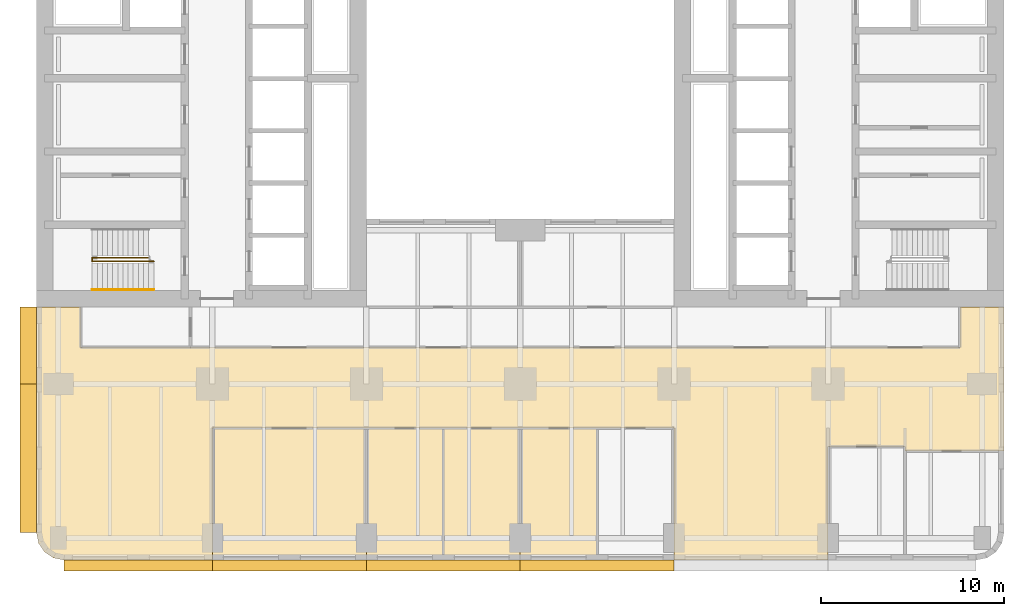
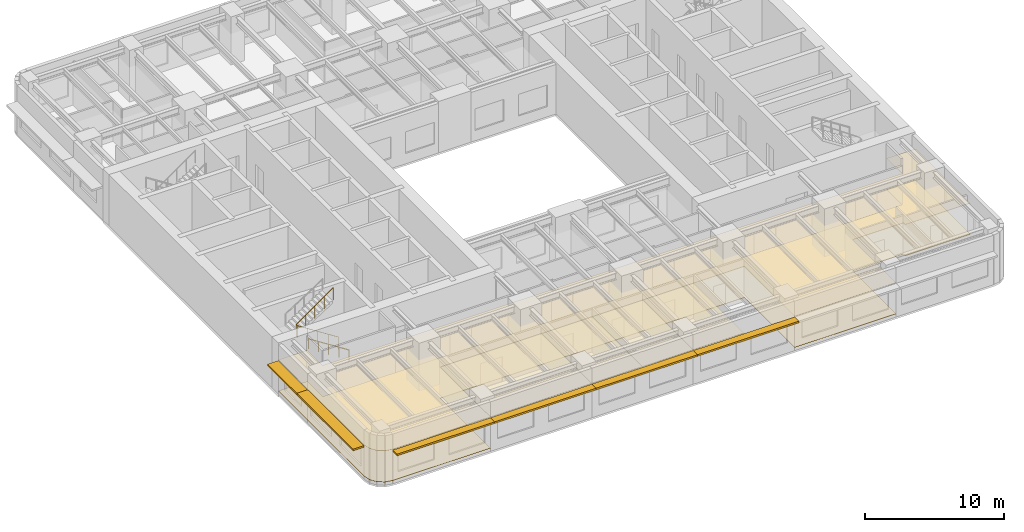
# One storey, part 9 of 14: 6 coverings, 6 shading devices, 2 railings.
"""IFC4 building model written with IfcOpenShell, lengths in metres."""

from ifc_helpers import new_model, si_unit, direction, frame, origin, origin_2d, place, context, subcontext, project, spatial, polyline, rectangle, circle, outline, extrude, material, layer, layer_set, type_object, element, save


model = new_model("IFC4")

# Units and contexts
model_context = context("Model", 3, precision=1e-05, world=origin(), true_north=direction((0.0, 1.0)))
body_context = subcontext(model_context, "Body", "Model", "MODEL_VIEW")
ifc_project = project(units=[si_unit("LENGTHUNIT", "METRE"), si_unit("AREAUNIT", "SQUARE_METRE"), si_unit("VOLUMEUNIT", "CUBIC_METRE"), si_unit("PLANEANGLEUNIT", "RADIAN"), si_unit("MASSUNIT", "GRAM", prefix="KILO")], contexts=[model_context])

# Site, building, storey
site_placement = place(None, origin())
site = spatial("IfcSite", under=ifc_project, at=site_placement, CompositionType="ELEMENT")
building_placement = place(site_placement, origin())
building = spatial("IfcBuilding", under=site, at=building_placement, Name="Claustro Exchange Tower", CompositionType="ELEMENT")
storey_placement = place(building_placement, frame((0.0, 0.0, 54.89990234375)))
storey = spatial("IfcBuildingStorey", under=building, at=storey_placement, Name="L12", CompositionType="ELEMENT", Elevation=54.89990234375)

# Coverings
ifc_material_1 = material(Name="Gypsum board ceiling", Category="gypsum board")
ifc_layer_1 = layer(ifc_material_1, 0.02490234375)
ifc_layer_set_1 = layer_set([ifc_layer_1], Name="Gypsum board ceiling")
covering_type_1 = type_object("IfcCoveringType", Name="CL2 plasterboard ceiling", PredefinedType="CEILING", material=ifc_layer_set_1)
covering_1_placement = place(storey_placement, frame((0.0, 0.0, 3.0)))
element("IfcCovering", 1, at=covering_1_placement, inside=storey, type_object=covering_type_1, Name="Ceiling CL2 L12-03", PredefinedType="CEILING", context=body_context, shape_type="SweptSolid", body=[
    extrude(outline(polyline([(8.39990234375, -1.199951171875), (16.800048828125, -1.199951171875), (16.800048828125, 6.0), (8.39990234375, 6.0), (8.39990234375, -1.199951171875)])), origin(), (0.0, 0.0, 1.0), 0.025146484375),
])
covering_2_placement = place(storey_placement, frame((0.0, 0.0, 3.0)))
element("IfcCovering", 2, at=covering_2_placement, inside=storey, type_object=covering_type_1, Name="Ceiling CL2 L12-04", PredefinedType="CEILING", context=body_context, shape_type="SweptSolid", body=[
    extrude(outline(polyline([(16.800048828125, -1.199951171875), (21.0, -1.199951171875), (21.0, 6.0), (16.800048828125, 6.0), (16.800048828125, -1.199951171875)])), origin(), (0.0, 0.0, 1.0), 0.025146484375),
])
covering_3_placement = place(storey_placement, frame((0.0, 0.0, 3.0)))
element("IfcCovering", 3, at=covering_3_placement, inside=storey, type_object=covering_type_1, Name="Ceiling CL2 L12-05", PredefinedType="CEILING", context=body_context, shape_type="SweptSolid", body=[
    extrude(outline(polyline([(21.0, -1.199951171875), (25.199951171875, -1.199951171875), (25.199951171875, 6.0), (21.0, 6.0), (21.0, -1.199951171875)])), origin(), (0.0, 0.0, 1.0), 0.025146484375),
])
covering_4_placement = place(storey_placement, frame((0.0, 0.0, 3.0)))
element("IfcCovering", 4, at=covering_4_placement, inside=storey, type_object=covering_type_1, Name="Ceiling CL2 L12-06", PredefinedType="CEILING", context=body_context, shape_type="SweptSolid", body=[
    extrude(outline(polyline([(25.199951171875, -1.199951171875), (29.39990234375, -1.199951171875), (29.39990234375, 6.0), (25.199951171875, 6.0), (25.199951171875, -1.199951171875)])), origin(), (0.0, 0.0, 1.0), 0.025146484375),
])
covering_5_placement = place(storey_placement, frame((0.0, 0.0, 3.0)))
element("IfcCovering", 5, at=covering_5_placement, inside=storey, type_object=covering_type_1, Name="Ceiling CL2 L12-08", PredefinedType="CEILING", context=body_context, shape_type="SweptSolid", body=[
    extrude(outline(polyline([(-1.085693359375, -0.27392578125), (-0.7607421875, -0.7607421875), (-0.27392578125, -1.085693359375), (0.300048828125, -1.199951171875), (8.39990234375, -1.199951171875), (8.39990234375, 6.0), (16.800048828125, 6.0), (21.0, 6.0), (25.199951171875, 6.0), (29.39990234375, 6.0), (33.60009765625, 6.0), (33.60009765625, -1.199951171875), (42.0, -1.199951171875), (42.0, 5.0), (46.199951171875, 5.0), (46.199951171875, 4.75), (51.60009765625, 4.75), (51.60009765625, 12.60009765625), (49.199951171875, 12.60009765625), (49.199951171875, 10.39990234375), (7.199951171875, 10.39990234375), (1.199951171875, 10.39990234375), (1.199951171875, 12.60009765625), (-1.199951171875, 12.60009765625), (-1.199951171875, 0.300048828125), (-1.085693359375, -0.27392578125)])), origin(), (0.0, 0.0, 1.0), 0.025146484375),
])

# Railings
ifc_material_2 = material(Name="Steel balustrade, painted", Category="steel")
railing_type_1 = type_object("IfcRailingType", Name="GR2 1100 steel stair guard", PredefinedType="GUARDRAIL", material=ifc_material_2)
railing_1_placement = place(storey_placement, frame((5.199951171875, 15.10009765625, 0.18017578125)))
element("IfcRailing", 6, at=railing_1_placement, inside=storey, type_object=railing_type_1, Name="Stair well guard GR2 stair STWA L12", PredefinedType="GUARDRAIL", context=body_context, shape_type="SweptSolid", body=[
    extrude(circle(Radius=0.02392578125, at=origin_2d()), frame((0.0, 0.0, 1.076171875), z_axis=(-0.841178475377, 0.0, 0.540757591313), x_axis=(0.0, -1.0, 0.0)), (0.0, 0.0, 1.0), 3.994140625),
    extrude(circle(Radius=0.02392578125, at=origin_2d()), frame((-3.35986328125, 0.0, 3.23583984375), z_axis=(0.0, 1.0, 0.0), x_axis=(-1.0, 0.0, 0.0)), (0.0, 0.0, 1.0), 0.199951171875),
    extrude(circle(Radius=0.02392578125, at=origin_2d()), frame((-3.35986328125, 0.199951171875, 3.23583984375), z_axis=(0.818728512145, 0.0, 0.574180828137), x_axis=(0.0, 1.0, 0.0)), (0.0, 0.0, 1.0), 3.76171875),
    extrude(circle(Radius=0.02099609375, at=origin_2d()), origin(), (0.0, 0.0, 1.0), 1.052001953125),
    extrude(circle(Radius=0.02099609375, at=origin_2d()), frame((-0.83984375, 0.0, 0.5400390625)), (0.0, 0.0, 1.0), 1.052001953125),
    extrude(circle(Radius=0.02099609375, at=origin_2d()), frame((-1.679931640625, 0.0, 1.080078125)), (0.0, 0.0, 1.0), 1.052001953125),
    extrude(circle(Radius=0.02099609375, at=origin_2d()), frame((-2.52001953125, 0.0, 1.619873046875)), (0.0, 0.0, 1.0), 1.052001953125),
    extrude(circle(Radius=0.02099609375, at=origin_2d()), frame((-3.35986328125, 0.0, 2.159912109375)), (0.0, 0.0, 1.0), 1.052001953125),
    extrude(circle(Radius=0.02099609375, at=origin_2d()), frame((-3.35986328125, 0.199951171875, 2.159912109375)), (0.0, 0.0, 1.0), 1.052001953125),
    extrude(circle(Radius=0.02099609375, at=origin_2d()), frame((-2.58984375, 0.199951171875, 2.699951171875)), (0.0, 0.0, 1.0), 1.052001953125),
    extrude(circle(Radius=0.02099609375, at=origin_2d()), frame((-1.81982421875, 0.199951171875, 3.23974609375)), (0.0, 0.0, 1.0), 1.052001953125),
    extrude(circle(Radius=0.02099609375, at=origin_2d()), frame((-1.050048828125, 0.199951171875, 3.77978515625)), (0.0, 0.0, 1.0), 1.052001953125),
    extrude(circle(Radius=0.02099609375, at=origin_2d()), frame((-0.280029296875, 0.199951171875, 4.31982421875)), (0.0, 0.0, 1.0), 1.052001953125),
])
ifc_material_3 = material(Name="Stainless steel tube", Category="steel")
railing_type_2 = type_object("IfcRailingType", Name="HR1 900 stair handrail", PredefinedType="HANDRAIL", material=ifc_material_3)
railing_2_placement = place(storey_placement, frame((5.199951171875, 13.56005859375, 0.18017578125)))
element("IfcRailing", 7, at=railing_2_placement, inside=storey, type_object=railing_type_2, Name="Handrail HR1 stair STWA L12", PredefinedType="HANDRAIL", context=body_context, shape_type="SweptSolid", body=[
    extrude(circle(Radius=0.02392578125, at=origin_2d()), frame((0.0, 0.0, 0.8759765625), z_axis=(-0.841178475377, 0.0, 0.540757591313), x_axis=(0.0, -1.0, 0.0)), (0.0, 0.0, 1.0), 3.994140625),
    extrude(circle(Radius=0.02099609375, at=origin_2d()), origin(), (0.0, 0.0, 1.0), 0.851806640625),
    extrude(circle(Radius=0.02099609375, at=origin_2d()), frame((-0.83984375, 0.0, 0.5400390625)), (0.0, 0.0, 1.0), 0.851806640625),
    extrude(circle(Radius=0.02099609375, at=origin_2d()), frame((-1.679931640625, 0.0, 1.080078125)), (0.0, 0.0, 1.0), 0.851806640625),
    extrude(circle(Radius=0.02099609375, at=origin_2d()), frame((-2.52001953125, 0.0, 1.619873046875)), (0.0, 0.0, 1.0), 0.851806640625),
    extrude(circle(Radius=0.02099609375, at=origin_2d()), frame((-3.35986328125, 0.0, 2.159912109375)), (0.0, 0.0, 1.0), 0.851806640625),
])

# Covering
ifc_material_4 = material(Name="Steel-encased raised floor panels on pedestals", Category="steel")
ifc_layer_2 = layer(ifc_material_4, 0.0400390625)
ifc_layer_set_2 = layer_set([ifc_layer_2], Name="Steel-encased raised floor panels on pedestals")
covering_type_2 = type_object("IfcCoveringType", Name="RF1 300 raised access floor", PredefinedType="FLOORING", material=ifc_layer_set_2)
covering_6_placement = place(storey_placement, frame((0.0, 0.0, 0.260009765625)))
element("IfcCovering", 8, at=covering_6_placement, inside=storey, type_object=covering_type_2, Name="Raised access floor RF1 L12-08", PredefinedType="FLOORING", context=body_context, shape_type="SweptSolid", body=[
    extrude(outline(polyline([(-1.085693359375, -0.27392578125), (-0.7607421875, -0.7607421875), (-0.27392578125, -1.085693359375), (0.300048828125, -1.199951171875), (8.39990234375, -1.199951171875), (8.39990234375, 6.0), (16.800048828125, 6.0), (21.0, 6.0), (25.199951171875, 6.0), (29.39990234375, 6.0), (33.60009765625, 6.0), (33.60009765625, -1.199951171875), (42.0, -1.199951171875), (42.0, 5.0), (46.199951171875, 5.0), (46.199951171875, 4.75), (51.60009765625, 4.75), (51.60009765625, 12.60009765625), (49.199951171875, 12.60009765625), (49.199951171875, 10.39990234375), (7.199951171875, 10.39990234375), (1.199951171875, 10.39990234375), (1.199951171875, 12.60009765625), (-1.199951171875, 12.60009765625), (-1.199951171875, 0.300048828125), (-1.085693359375, -0.27392578125)])), origin(), (0.0, 0.0, 1.0), 0.0400390625),
])

# Shading devices
ifc_material_5 = material(Name="Concrete HA-40 (C40/50), precast, white cement, acid-etched", Category="concrete")
ifc_layer_3 = layer(ifc_material_5, 0.14990234375)
ifc_layer_set_3 = layer_set([ifc_layer_3], Name="Concrete HA-40 (C40/50), precast, white cement, acid-etched")
shading_device_type_1 = type_object("IfcShadingDeviceType", Name="SS1 600 precast concrete SUNSHADE", PredefinedType="SHUTTER", material=ifc_layer_set_3)
for number, where, z_axis, x_axis, name in (
    (9, (29.39990234375, -1.5, 2.800048828125), (0.0, 0.0, 1.0), (-1.0, 0.0, 0.0), "Precast SUNSHADE SS1 L12"),
    (10, (21.0, -1.5, 2.800048828125), (0.0, 0.0, 1.0), (-1.0, 0.0, 0.0), "Precast SUNSHADE SS1 L12"),
    (11, (12.60009765625, -1.5, 2.800048828125), (0.0, 0.0, 1.0), (-1.0, 0.0, 0.0), "Precast SUNSHADE SS1 L12"),
):
    element("IfcShadingDevice", number, at=place(storey_placement, frame(where, z_axis=z_axis, x_axis=x_axis)), inside=storey, type_object=shading_device_type_1, Name=name, PredefinedType="SHUTTER", context=body_context, shape_type="SweptSolid", body=[
        extrude(rectangle(XDim=8.39990234375, YDim=0.60009765625, at=origin_2d()), origin(), (0.0, 0.0, 1.0), 0.14990234375),
    ])
shading_device_1_placement = place(storey_placement, frame((4.357421875, -1.5, 2.800048828125), z_axis=(0.0, 0.0, 1.0), x_axis=(-1.0, 0.0, 0.0)))
element("IfcShadingDevice", 12, at=shading_device_1_placement, inside=storey, type_object=shading_device_type_1, Name="Precast SUNSHADE SS1 L12", PredefinedType="SHUTTER", context=body_context, shape_type="SweptSolid", body=[
    extrude(rectangle(XDim=8.085205078125, YDim=0.60009765625, at=origin_2d()), origin(), (0.0, 0.0, 1.0), 0.14990234375),
])
ifc_material_6 = material(Name="Concrete HA-40 (C40/50), precast, white cement, acid-etched", Category="concrete")
ifc_layer_4 = layer(ifc_material_6, 0.14990234375)
ifc_layer_set_4 = layer_set([ifc_layer_4], Name="Concrete HA-40 (C40/50), precast, white cement, acid-etched")
shading_device_type_2 = type_object("IfcShadingDeviceType", Name="SS2 900 precast concrete SUNSHADE", PredefinedType="SHUTTER", material=ifc_layer_set_4)
shading_device_2_placement = place(storey_placement, frame((-1.64990234375, 4.357421875, 2.800048828125), z_axis=(0.0, 0.0, 1.0), x_axis=(0.0, 1.0, 0.0)))
element("IfcShadingDevice", 13, at=shading_device_2_placement, inside=storey, type_object=shading_device_type_2, Name="Precast SUNSHADE SS2 L12", PredefinedType="SHUTTER", context=body_context, shape_type="SweptSolid", body=[
    extrude(rectangle(XDim=8.085205078125, YDim=0.89990234375, at=origin_2d()), origin(), (0.0, 0.0, 1.0), 0.14990234375),
])
shading_device_3_placement = place(storey_placement, frame((-1.64990234375, 10.5, 2.800048828125), z_axis=(0.0, 0.0, 1.0), x_axis=(0.0, 1.0, 0.0)))
element("IfcShadingDevice", 14, at=shading_device_3_placement, inside=storey, type_object=shading_device_type_2, Name="Precast SUNSHADE SS2 L12", PredefinedType="SHUTTER", context=body_context, shape_type="SweptSolid", body=[
    extrude(rectangle(XDim=4.199951171875, YDim=0.89990234375, at=origin_2d()), origin(), (0.0, 0.0, 1.0), 0.14990234375),
])

save(model, "model.ifc")
